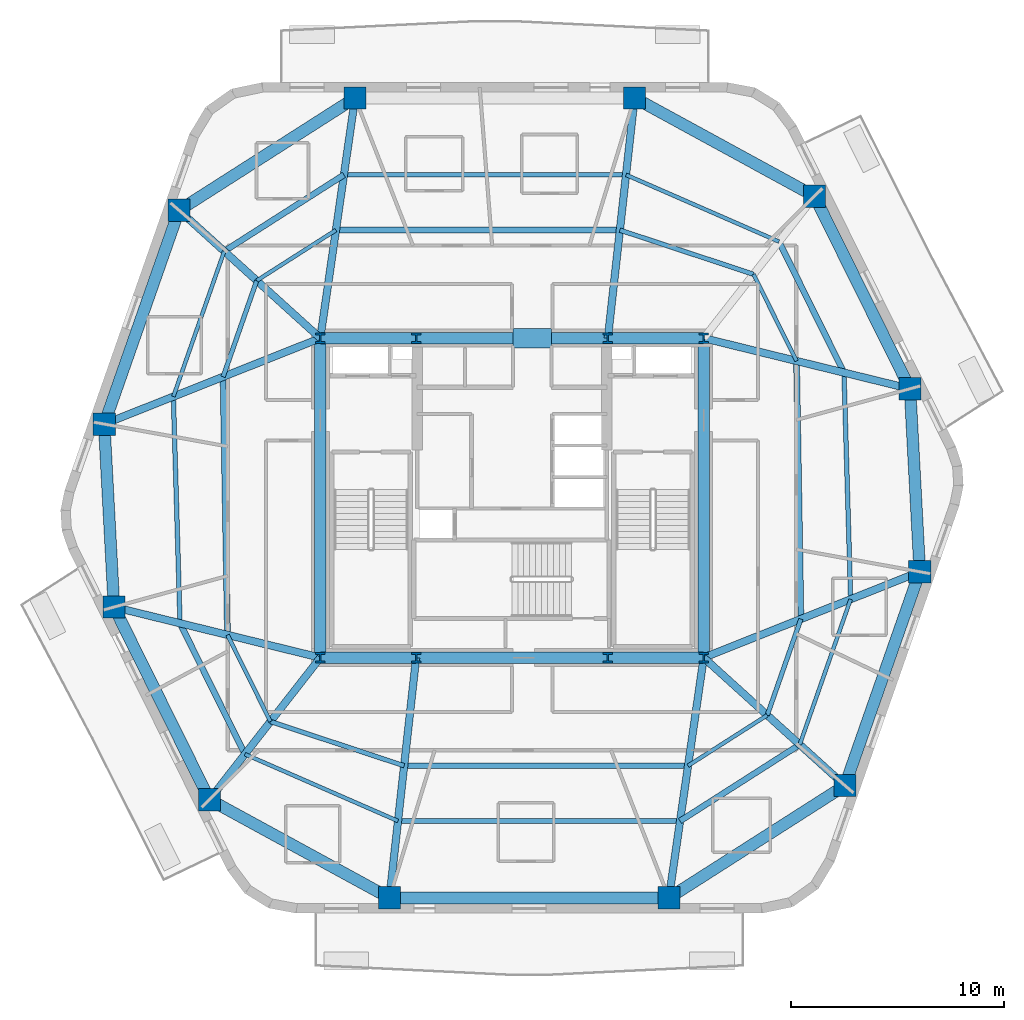
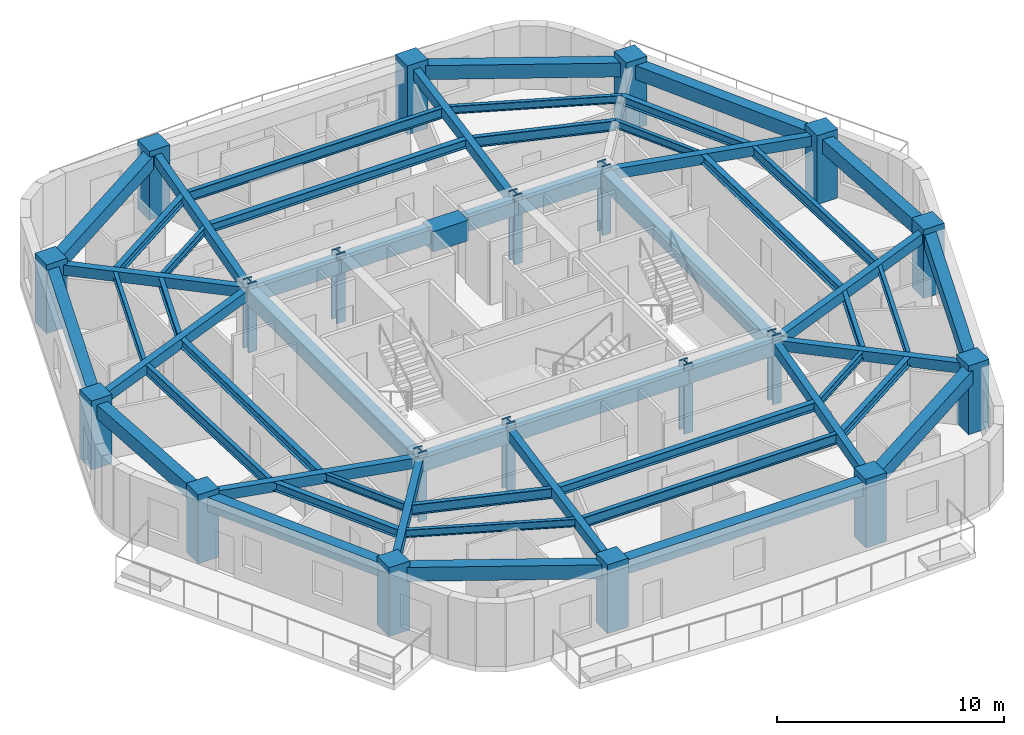
# One storey, part 1 of 10: 55 beams, 20 columns.
"""IFC4 building model written with IfcOpenShell, lengths in metres."""

from ifc_helpers import new_model, si_unit, direction, frame, origin, origin_2d, place, context, subcontext, project, spatial, rectangle, i_section, extrude, material, material_profile, profile_set, type_object, element, save


model = new_model("IFC4")

# Units and contexts
model_context = context("Model", 3, precision=1e-05, world=origin(), true_north=direction((0.0, 1.0)))
body_context = subcontext(model_context, "Body", "Model", "MODEL_VIEW")
ifc_project = project(units=[si_unit("LENGTHUNIT", "METRE"), si_unit("AREAUNIT", "SQUARE_METRE"), si_unit("VOLUMEUNIT", "CUBIC_METRE"), si_unit("PLANEANGLEUNIT", "RADIAN"), si_unit("MASSUNIT", "GRAM", prefix="KILO")], contexts=[model_context])

# Site, building, storey
site_placement = place(None, origin())
site = spatial("IfcSite", under=ifc_project, at=site_placement, CompositionType="ELEMENT")
building_placement = place(site_placement, origin())
building = spatial("IfcBuilding", under=site, at=building_placement, Name="Kilnhurst Terrace Hotel", CompositionType="ELEMENT")
storey_placement = place(building_placement, frame((0.0, 0.0, 155.39990234375)))
storey = spatial("IfcBuildingStorey", under=building, at=storey_placement, Name="L38", CompositionType="ELEMENT", Elevation=155.39990234375)

# Columns
ifc_material_1 = material(Name="Concrete C80/95", Category="concrete")
ifc_material_profile_1 = material_profile(ifc_material_1, rectangle(XDim=1.050048828125, YDim=1.050048828125, at=origin_2d()), Name="RC1050X1050")
ifc_profile_set_1 = profile_set([ifc_material_profile_1], Name="Concrete C80/95")
column_type_1 = type_object("IfcColumnType", Name="COL-RC-1050", PredefinedType="COLUMN", material=ifc_profile_set_1)
for number, where, z_axis, x_axis, name in (
    (1, (-5.7548828125, -18.780029296875, 0.0), (0.0, 0.0, 1.0), (1.0, 0.0, 0.0), "L38 Structural Column PC-F11"),
    (2, (7.368896484375, -18.780029296875, 0.0), (0.0, 0.0, 1.0), (1.0, 0.0, 0.0), "L38 Structural Column PC-F12"),
    (3, (15.633056640625, -13.5048828125, 0.0), (0.0, 0.0, 1.0), (1.0, 0.0, 0.0), "L38 Structural Column PC-F21"),
    (4, (19.14794921875, -3.467041015625, 0.0), (0.0, 0.0, 1.0), (1.0, 0.0, 0.0), "L38 Structural Column PC-F22"),
    (5, (18.68701171875, 5.1240234375, 0.0), (0.0, 0.0, 1.0), (1.0, 0.0, 0.0), "L38 Structural Column PC-F31"),
    (6, (14.2041015625, 14.166015625, 0.0), (0.0, 0.0, 1.0), (1.0, 0.0, 0.0), "L38 Structural Column PC-F32"),
    (7, (5.7548828125, 18.780029296875, 0.0), (0.0, 0.0, 1.0), (1.0, 0.0, 0.0), "L38 Structural Column PC-F41"),
    (8, (-7.368896484375, 18.780029296875, 0.0), (0.0, 0.0, 1.0), (1.0, 0.0, 0.0), "L38 Structural Column PC-F42"),
    (9, (-15.633056640625, 13.5048828125, 0.0), (0.0, 0.0, 1.0), (1.0, 0.0, 0.0), "L38 Structural Column PC-F51"),
    (10, (-19.14794921875, 3.467041015625, 0.0), (0.0, 0.0, 1.0), (1.0, 0.0, 0.0), "L38 Structural Column PC-F52"),
    (11, (-18.68701171875, -5.1240234375, 0.0), (0.0, 0.0, 1.0), (1.0, 0.0, 0.0), "L38 Structural Column PC-F61"),
    (12, (-14.2041015625, -14.166015625, 0.0), (0.0, 0.0, 1.0), (1.0, 0.0, 0.0), "L38 Structural Column PC-F62"),
):
    element("IfcColumn", number, at=place(storey_placement, frame(where, z_axis=z_axis, x_axis=x_axis)), inside=storey, type_object=column_type_1, Name=name, PredefinedType="COLUMN", context=body_context, shape_type="SweptSolid", body=[
        extrude(rectangle(XDim=1.050048828125, YDim=1.050048828125, at=origin_2d()), origin(), (0.0, 0.0, 1.0), 3.7001953125),
    ])
ifc_material_2 = material(Name="Steel ASTM A992 Grade 50", Category="steel")
ifc_material_profile_2 = material_profile(ifc_material_2, i_section(OverallWidth=0.43212890625, OverallDepth=0.497802734375, WebThickness=0.0556640625, FlangeThickness=0.0888671875, at=origin_2d()), Name="W14X500")
ifc_profile_set_2 = profile_set([ifc_material_profile_2], Name="Steel ASTM A992 Grade 50")
column_type_2 = type_object("IfcColumnType", Name="COL-STL-W14X500", PredefinedType="COLUMN", material=ifc_profile_set_2)
for number, where, z_axis, x_axis, name in (
    (13, (-9.0, -7.5, 0.0), (0.0, 0.0, 1.0), (1.0, 0.0, 0.0), "L38 Structural Column CC-SW"),
    (14, (-4.5, -7.5, 0.0), (0.0, 0.0, 1.0), (1.0, 0.0, 0.0), "L38 Structural Column CC-SC1"),
    (15, (4.5, -7.5, 0.0), (0.0, 0.0, 1.0), (1.0, 0.0, 0.0), "L38 Structural Column CC-SC2"),
    (16, (9.0, -7.5, 0.0), (0.0, 0.0, 1.0), (1.0, 0.0, 0.0), "L38 Structural Column CC-SE"),
    (17, (9.0, 7.5, 0.0), (0.0, 0.0, 1.0), (1.0, 0.0, 0.0), "L38 Structural Column CC-NE"),
    (18, (4.5, 7.5, 0.0), (0.0, 0.0, 1.0), (1.0, 0.0, 0.0), "L38 Structural Column CC-NC2"),
    (19, (-4.5, 7.5, 0.0), (0.0, 0.0, 1.0), (1.0, 0.0, 0.0), "L38 Structural Column CC-NC1"),
    (20, (-9.0, 7.5, 0.0), (0.0, 0.0, 1.0), (1.0, 0.0, 0.0), "L38 Structural Column CC-NW"),
):
    element("IfcColumn", number, at=place(storey_placement, frame(where, z_axis=z_axis, x_axis=x_axis)), inside=storey, type_object=column_type_2, Name=name, PredefinedType="COLUMN", context=body_context, shape_type="SweptSolid", body=[
        extrude(i_section(OverallWidth=0.43212890625, OverallDepth=0.497802734375, WebThickness=0.0556640625, FlangeThickness=0.0888671875, at=origin_2d()), origin(), (0.0, 0.0, 1.0), 3.7001953125),
    ])

# Beams
ifc_material_3 = material(Name="Concrete C50/60", Category="concrete")
ifc_material_profile_3 = material_profile(ifc_material_3, rectangle(XDim=0.35009765625, YDim=0.550048828125, at=origin_2d()), Name="RC350X550")
ifc_profile_set_3 = profile_set([ifc_material_profile_3], Name="Concrete C50/60")
beam_type_1 = type_object("IfcBeamType", Name="BM-RAD-350X550", PredefinedType="BEAM", material=ifc_profile_set_3)
beam_1_placement = place(storey_placement, frame((-4.5, -7.5, 3.125), z_axis=(-0.110566099441, -0.993868772854, 0.0), x_axis=(0.993868772854, -0.110566099441, 0.0)))
element("IfcBeam", 21, at=beam_1_placement, inside=storey, type_object=beam_type_1, Name="L38 Radial Floor Beam 1", PredefinedType="BEAM", context=body_context, shape_type="SweptSolid", body=[
    extrude(rectangle(XDim=0.35009765625, YDim=0.550048828125, at=origin_2d()), origin(), (0.0, 0.0, 1.0), 11.349609375),
])
beam_2_placement = place(storey_placement, frame((9.0, -7.5, 3.125), z_axis=(-0.143112538238, -0.989706421824, 0.0), x_axis=(0.989706421824, -0.143112538238, 0.0)))
element("IfcBeam", 22, at=beam_2_placement, inside=storey, type_object=beam_type_1, Name="L38 Radial Floor Beam 2", PredefinedType="BEAM", context=body_context, shape_type="SweptSolid", body=[
    extrude(rectangle(XDim=0.35009765625, YDim=0.550048828125, at=origin_2d()), origin(), (0.0, 0.0, 1.0), 11.3974609375),
])
beam_3_placement = place(storey_placement, frame((9.0, -7.5, 3.125), z_axis=(0.741338585645, -0.671131210296, 0.0), x_axis=(0.671131210296, 0.741338585645, 0.0)))
element("IfcBeam", 23, at=beam_3_placement, inside=storey, type_object=beam_type_1, Name="L38 Radial Floor Beam 3", PredefinedType="BEAM", context=body_context, shape_type="SweptSolid", body=[
    extrude(rectangle(XDim=0.35009765625, YDim=0.550048828125, at=origin_2d()), origin(), (0.0, 0.0, 1.0), 8.947509765625),
])
beam_4_placement = place(storey_placement, frame((9.0, -7.5, 3.125), z_axis=(0.929302373458, 0.369319778356, 0.0), x_axis=(-0.369319778356, 0.929302373458, 0.0)))
element("IfcBeam", 24, at=beam_4_placement, inside=storey, type_object=beam_type_1, Name="L38 Radial Floor Beam 4", PredefinedType="BEAM", context=body_context, shape_type="SweptSolid", body=[
    extrude(rectangle(XDim=0.35009765625, YDim=0.550048828125, at=origin_2d()), origin(), (0.0, 0.0, 1.0), 10.919921875),
])
beam_5_placement = place(storey_placement, frame((9.0, 7.5, 3.125), z_axis=(0.971212767405, -0.238213686486, 0.0), x_axis=(0.238213686486, 0.971212767405, 0.0)))
element("IfcBeam", 25, at=beam_5_placement, inside=storey, type_object=beam_type_1, Name="L38 Radial Floor Beam 5", PredefinedType="BEAM", context=body_context, shape_type="SweptSolid", body=[
    extrude(rectangle(XDim=0.35009765625, YDim=0.550048828125, at=origin_2d()), origin(), (0.0, 0.0, 1.0), 9.97412109375),
])
beam_6_placement = place(storey_placement, frame((4.5, 7.5, 3.125), z_axis=(0.110566099441, 0.993868772854, 0.0), x_axis=(-0.993868772854, 0.110566099441, 0.0)))
element("IfcBeam", 26, at=beam_6_placement, inside=storey, type_object=beam_type_1, Name="L38 Radial Floor Beam 7", PredefinedType="BEAM", context=body_context, shape_type="SweptSolid", body=[
    extrude(rectangle(XDim=0.35009765625, YDim=0.550048828125, at=origin_2d()), origin(), (0.0, 0.0, 1.0), 11.349609375),
])
beam_7_placement = place(storey_placement, frame((-9.0, 7.5, 3.125), z_axis=(0.143112538238, 0.989706421824, 0.0), x_axis=(-0.989706421824, 0.143112538238, 0.0)))
element("IfcBeam", 27, at=beam_7_placement, inside=storey, type_object=beam_type_1, Name="L38 Radial Floor Beam 8", PredefinedType="BEAM", context=body_context, shape_type="SweptSolid", body=[
    extrude(rectangle(XDim=0.35009765625, YDim=0.550048828125, at=origin_2d()), origin(), (0.0, 0.0, 1.0), 11.3974609375),
])
beam_8_placement = place(storey_placement, frame((-9.0, 7.5, 3.125), z_axis=(-0.741338585645, 0.671131210296, 0.0), x_axis=(-0.671131210296, -0.741338585645, 0.0)))
element("IfcBeam", 28, at=beam_8_placement, inside=storey, type_object=beam_type_1, Name="L38 Radial Floor Beam 9", PredefinedType="BEAM", context=body_context, shape_type="SweptSolid", body=[
    extrude(rectangle(XDim=0.35009765625, YDim=0.550048828125, at=origin_2d()), origin(), (0.0, 0.0, 1.0), 8.947509765625),
])
beam_9_placement = place(storey_placement, frame((-9.0, 7.5, 3.125), z_axis=(-0.929302373458, -0.369319778356, 0.0), x_axis=(0.369319778356, -0.929302373458, 0.0)))
element("IfcBeam", 29, at=beam_9_placement, inside=storey, type_object=beam_type_1, Name="L38 Radial Floor Beam 10", PredefinedType="BEAM", context=body_context, shape_type="SweptSolid", body=[
    extrude(rectangle(XDim=0.35009765625, YDim=0.550048828125, at=origin_2d()), origin(), (0.0, 0.0, 1.0), 10.919921875),
])
beam_10_placement = place(storey_placement, frame((-9.0, -7.5, 3.125), z_axis=(-0.971212767405, 0.238213686486, 0.0), x_axis=(-0.238213686486, -0.971212767405, 0.0)))
element("IfcBeam", 30, at=beam_10_placement, inside=storey, type_object=beam_type_1, Name="L38 Radial Floor Beam 11", PredefinedType="BEAM", context=body_context, shape_type="SweptSolid", body=[
    extrude(rectangle(XDim=0.35009765625, YDim=0.550048828125, at=origin_2d()), origin(), (0.0, 0.0, 1.0), 9.97412109375),
])
beam_11_placement = place(storey_placement, frame((-9.0, -7.5, 3.125), z_axis=(-0.615370616457, -0.78823791104, 0.0), x_axis=(0.78823791104, -0.615370616457, 0.0)))
element("IfcBeam", 31, at=beam_11_placement, inside=storey, type_object=beam_type_1, Name="L38 Radial Floor Beam 12", PredefinedType="BEAM", context=body_context, shape_type="SweptSolid", body=[
    extrude(rectangle(XDim=0.35009765625, YDim=0.550048828125, at=origin_2d()), origin(), (0.0, 0.0, 1.0), 8.456787109375),
])
ifc_material_profile_4 = material_profile(ifc_material_3, rectangle(XDim=0.550048828125, YDim=0.75, at=origin_2d()), Name="RC550X750")
ifc_profile_set_4 = profile_set([ifc_material_profile_4], Name="Concrete C50/60")
beam_type_2 = type_object("IfcBeamType", Name="BM-SPN-550X750", PredefinedType="SPANDREL", material=ifc_profile_set_4)
beam_12_placement = place(storey_placement, frame((-9.0, 7.5, 3.025146484375), z_axis=(1.0, 0.0, 0.0), x_axis=(0.0, 1.0, 0.0)))
element("IfcBeam", 32, at=beam_12_placement, inside=storey, type_object=beam_type_2, Name="L38 Core Tie Beam CC-NW to CC-NC1", PredefinedType="SPANDREL", context=body_context, shape_type="SweptSolid", body=[
    extrude(rectangle(XDim=0.550048828125, YDim=0.75, at=origin_2d()), origin(), (0.0, 0.0, 1.0), 4.5),
])
beam_13_placement = place(storey_placement, frame((-4.5, 7.5, 3.025146484375), z_axis=(1.0, 0.0, 0.0), x_axis=(0.0, 1.0, 0.0)))
element("IfcBeam", 33, at=beam_13_placement, inside=storey, type_object=beam_type_2, Name="L38 Core Tie Beam CC-NC1 to CC-NC2", PredefinedType="SPANDREL", context=body_context, shape_type="SweptSolid", body=[
    extrude(rectangle(XDim=0.550048828125, YDim=0.75, at=origin_2d()), origin(), (0.0, 0.0, 1.0), 9.0),
])
for number, where, z_axis, x_axis, name in (
    (34, (4.5, 7.5, 3.025146484375), (1.0, 0.0, 0.0), (0.0, 1.0, 0.0), "L38 Core Tie Beam CC-NC2 to CC-NE"),
    (35, (-9.0, -7.5, 3.025146484375), (1.0, 0.0, 0.0), (0.0, 1.0, 0.0), "L38 Core Tie Beam CC-SW to CC-SC1"),
):
    element("IfcBeam", number, at=place(storey_placement, frame(where, z_axis=z_axis, x_axis=x_axis)), inside=storey, type_object=beam_type_2, Name=name, PredefinedType="SPANDREL", context=body_context, shape_type="SweptSolid", body=[
        extrude(rectangle(XDim=0.550048828125, YDim=0.75, at=origin_2d()), origin(), (0.0, 0.0, 1.0), 4.5),
    ])
beam_14_placement = place(storey_placement, frame((-4.5, -7.5, 3.025146484375), z_axis=(1.0, 0.0, 0.0), x_axis=(0.0, 1.0, 0.0)))
element("IfcBeam", 36, at=beam_14_placement, inside=storey, type_object=beam_type_2, Name="L38 Core Tie Beam CC-SC1 to CC-SC2", PredefinedType="SPANDREL", context=body_context, shape_type="SweptSolid", body=[
    extrude(rectangle(XDim=0.550048828125, YDim=0.75, at=origin_2d()), origin(), (0.0, 0.0, 1.0), 9.0),
])
beam_15_placement = place(storey_placement, frame((4.5, -7.5, 3.025146484375), z_axis=(1.0, 0.0, 0.0), x_axis=(0.0, 1.0, 0.0)))
element("IfcBeam", 37, at=beam_15_placement, inside=storey, type_object=beam_type_2, Name="L38 Core Tie Beam CC-SC2 to CC-SE", PredefinedType="SPANDREL", context=body_context, shape_type="SweptSolid", body=[
    extrude(rectangle(XDim=0.550048828125, YDim=0.75, at=origin_2d()), origin(), (0.0, 0.0, 1.0), 4.5),
])
for number, where, z_axis, x_axis, name in (
    (38, (-9.0, -7.5, 3.025146484375), (0.0, 1.0, 0.0), (-1.0, 0.0, 0.0), "L38 Core Tie Beam CC-SW to CC-NW"),
    (39, (9.0, -7.5, 3.025146484375), (0.0, 1.0, 0.0), (-1.0, 0.0, 0.0), "L38 Core Tie Beam CC-SE to CC-NE"),
):
    element("IfcBeam", number, at=place(storey_placement, frame(where, z_axis=z_axis, x_axis=x_axis)), inside=storey, type_object=beam_type_2, Name=name, PredefinedType="SPANDREL", context=body_context, shape_type="SweptSolid", body=[
        extrude(rectangle(XDim=0.550048828125, YDim=0.75, at=origin_2d()), origin(), (0.0, 0.0, 1.0), 15.0),
    ])
beam_16_placement = place(storey_placement, frame((-5.7548828125, -18.780029296875, 3.025146484375), z_axis=(1.0, 0.0, 0.0), x_axis=(0.0, 1.0, 0.0)))
element("IfcBeam", 40, at=beam_16_placement, inside=storey, type_object=beam_type_2, Name="L38 Perimeter Spandrel Beam 1", PredefinedType="SPANDREL", context=body_context, shape_type="SweptSolid", body=[
    extrude(rectangle(XDim=0.550048828125, YDim=0.75, at=origin_2d()), origin(), (0.0, 0.0, 1.0), 13.123779296875),
])
beam_17_placement = place(storey_placement, frame((7.368896484375, -18.780029296875, 3.025146484375), z_axis=(0.842915241256, 0.538046369803, 0.0), x_axis=(-0.538046369803, 0.842915241256, 0.0)))
element("IfcBeam", 41, at=beam_17_placement, inside=storey, type_object=beam_type_2, Name="L38 Perimeter Spandrel Beam 2", PredefinedType="SPANDREL", context=body_context, shape_type="SweptSolid", body=[
    extrude(rectangle(XDim=0.550048828125, YDim=0.75, at=origin_2d()), origin(), (0.0, 0.0, 1.0), 9.80419921875),
])
beam_18_placement = place(storey_placement, frame((15.633056640625, -13.5048828125, 3.025146484375), z_axis=(0.330488460168, 0.943810032632, 0.0), x_axis=(-0.943810032632, 0.330488460168, 0.0)))
element("IfcBeam", 42, at=beam_18_placement, inside=storey, type_object=beam_type_2, Name="L38 Perimeter Spandrel Beam 3", PredefinedType="SPANDREL", context=body_context, shape_type="SweptSolid", body=[
    extrude(rectangle(XDim=0.550048828125, YDim=0.75, at=origin_2d()), origin(), (0.0, 0.0, 1.0), 10.635498046875),
])
beam_19_placement = place(storey_placement, frame((19.14794921875, -3.467041015625, 3.025146484375), z_axis=(-0.053576072051, 0.998563770875, 0.0), x_axis=(-0.998563770875, -0.053576072051, 0.0)))
element("IfcBeam", 43, at=beam_19_placement, inside=storey, type_object=beam_type_2, Name="L38 Perimeter Spandrel Beam 4", PredefinedType="SPANDREL", context=body_context, shape_type="SweptSolid", body=[
    extrude(rectangle(XDim=0.550048828125, YDim=0.75, at=origin_2d()), origin(), (0.0, 0.0, 1.0), 8.603515625),
])
beam_20_placement = place(storey_placement, frame((18.68701171875, 5.1240234375, 3.025146484375), z_axis=(-0.444192032261, 0.895931603682, 0.0), x_axis=(-0.895931603682, -0.444192032261, 0.0)))
element("IfcBeam", 44, at=beam_20_placement, inside=storey, type_object=beam_type_2, Name="L38 Perimeter Spandrel Beam 5", PredefinedType="SPANDREL", context=body_context, shape_type="SweptSolid", body=[
    extrude(rectangle(XDim=0.550048828125, YDim=0.75, at=origin_2d()), origin(), (0.0, 0.0, 1.0), 10.09228515625),
])
beam_21_placement = place(storey_placement, frame((14.2041015625, 14.166015625, 3.025146484375), z_axis=(-0.87766189723, 0.479280287672, 0.0), x_axis=(-0.479280287672, -0.87766189723, 0.0)))
element("IfcBeam", 45, at=beam_21_placement, inside=storey, type_object=beam_type_2, Name="L38 Perimeter Spandrel Beam 6", PredefinedType="SPANDREL", context=body_context, shape_type="SweptSolid", body=[
    extrude(rectangle(XDim=0.550048828125, YDim=0.75, at=origin_2d()), origin(), (0.0, 0.0, 1.0), 9.626953125),
])
beam_22_placement = place(storey_placement, frame((-7.368896484375, 18.780029296875, 3.025146484375), z_axis=(-0.842915241256, -0.538046369803, 0.0), x_axis=(0.538046369803, -0.842915241256, 0.0)))
element("IfcBeam", 46, at=beam_22_placement, inside=storey, type_object=beam_type_2, Name="L38 Perimeter Spandrel Beam 8", PredefinedType="SPANDREL", context=body_context, shape_type="SweptSolid", body=[
    extrude(rectangle(XDim=0.550048828125, YDim=0.75, at=origin_2d()), origin(), (0.0, 0.0, 1.0), 9.80419921875),
])
beam_23_placement = place(storey_placement, frame((-15.633056640625, 13.5048828125, 3.025146484375), z_axis=(-0.330488460168, -0.943810032632, 0.0), x_axis=(0.943810032632, -0.330488460168, 0.0)))
element("IfcBeam", 47, at=beam_23_placement, inside=storey, type_object=beam_type_2, Name="L38 Perimeter Spandrel Beam 9", PredefinedType="SPANDREL", context=body_context, shape_type="SweptSolid", body=[
    extrude(rectangle(XDim=0.550048828125, YDim=0.75, at=origin_2d()), origin(), (0.0, 0.0, 1.0), 10.635498046875),
])
beam_24_placement = place(storey_placement, frame((-19.14794921875, 3.467041015625, 3.025146484375), z_axis=(0.053576072051, -0.998563770875, 0.0), x_axis=(0.998563770875, 0.053576072051, 0.0)))
element("IfcBeam", 48, at=beam_24_placement, inside=storey, type_object=beam_type_2, Name="L38 Perimeter Spandrel Beam 10", PredefinedType="SPANDREL", context=body_context, shape_type="SweptSolid", body=[
    extrude(rectangle(XDim=0.550048828125, YDim=0.75, at=origin_2d()), origin(), (0.0, 0.0, 1.0), 8.603515625),
])
beam_25_placement = place(storey_placement, frame((-18.68701171875, -5.1240234375, 3.025146484375), z_axis=(0.444192032261, -0.895931603682, 0.0), x_axis=(0.895931603682, 0.444192032261, 0.0)))
element("IfcBeam", 49, at=beam_25_placement, inside=storey, type_object=beam_type_2, Name="L38 Perimeter Spandrel Beam 11", PredefinedType="SPANDREL", context=body_context, shape_type="SweptSolid", body=[
    extrude(rectangle(XDim=0.550048828125, YDim=0.75, at=origin_2d()), origin(), (0.0, 0.0, 1.0), 10.09228515625),
])
beam_26_placement = place(storey_placement, frame((-14.2041015625, -14.166015625, 3.025146484375), z_axis=(0.87766189723, -0.479280287672, 0.0), x_axis=(0.479280287672, 0.87766189723, 0.0)))
element("IfcBeam", 50, at=beam_26_placement, inside=storey, type_object=beam_type_2, Name="L38 Perimeter Spandrel Beam 12", PredefinedType="SPANDREL", context=body_context, shape_type="SweptSolid", body=[
    extrude(rectangle(XDim=0.550048828125, YDim=0.75, at=origin_2d()), origin(), (0.0, 0.0, 1.0), 9.626953125),
])
ifc_material_profile_5 = material_profile(ifc_material_2, i_section(OverallWidth=0.180908203125, OverallDepth=0.417236328125, WebThickness=0.010986328125, FlangeThickness=0.018310546875, at=origin_2d()), Name="W16X57")
ifc_profile_set_5 = profile_set([ifc_material_profile_5], Name="Steel ASTM A992 Grade 50")
beam_type_3 = type_object("IfcBeamType", Name="JST-STL-W16X57", PredefinedType="JOIST", material=ifc_profile_set_5)
beam_27_placement = place(storey_placement, frame((13.510498046875, -11.58349609375, 3.191162109375), z_axis=(0.330481239411, 0.943812561051, 0.0), x_axis=(-0.943812561051, 0.330481239411, 0.0)))
element("IfcBeam", 51, at=beam_27_placement, inside=storey, type_object=beam_type_3, Name="L38 Secondary Floor Steel Joist OUT.3", PredefinedType="JOIST", context=body_context, shape_type="SweptSolid", body=[
    extrude(i_section(OverallWidth=0.180908203125, OverallDepth=0.417236328125, WebThickness=0.010986328125, FlangeThickness=0.018310546875, at=origin_2d()), origin(), (0.0, 0.0, 1.0), 7.232177734375),
])
beam_28_placement = place(storey_placement, frame((12.538818359375, 12.032958984375, 3.191162109375), z_axis=(-0.916443679054, 0.400163695407, 0.0), x_axis=(-0.400163695407, -0.916443679054, 0.0)))
element("IfcBeam", 52, at=beam_28_placement, inside=storey, type_object=beam_type_3, Name="L38 Secondary Floor Steel Joist OUT.6", PredefinedType="JOIST", context=body_context, shape_type="SweptSolid", body=[
    extrude(i_section(OverallWidth=0.180908203125, OverallDepth=0.417236328125, WebThickness=0.010986328125, FlangeThickness=0.018310546875, at=origin_2d()), origin(), (0.0, 0.0, 1.0), 7.84033203125),
])
beam_29_placement = place(storey_placement, frame((-13.510498046875, 11.58349609375, 3.191162109375), z_axis=(-0.330481239411, -0.943812561051, 0.0), x_axis=(0.943812561051, -0.330481239411, 0.0)))
element("IfcBeam", 53, at=beam_29_placement, inside=storey, type_object=beam_type_3, Name="L38 Secondary Floor Steel Joist OUT.9", PredefinedType="JOIST", context=body_context, shape_type="SweptSolid", body=[
    extrude(i_section(OverallWidth=0.180908203125, OverallDepth=0.417236328125, WebThickness=0.010986328125, FlangeThickness=0.018310546875, at=origin_2d()), origin(), (0.0, 0.0, 1.0), 7.232177734375),
])
beam_30_placement = place(storey_placement, frame((-12.538818359375, -12.032958984375, 3.191162109375), z_axis=(0.916443679054, -0.400163695407, 0.0), x_axis=(0.400163695407, 0.916443679054, 0.0)))
element("IfcBeam", 54, at=beam_30_placement, inside=storey, type_object=beam_type_3, Name="L38 Secondary Floor Steel Joist OUT.12", PredefinedType="JOIST", context=body_context, shape_type="SweptSolid", body=[
    extrude(i_section(OverallWidth=0.180908203125, OverallDepth=0.417236328125, WebThickness=0.010986328125, FlangeThickness=0.018310546875, at=origin_2d()), origin(), (0.0, 0.0, 1.0), 7.84033203125),
])
beam_31_placement = place(storey_placement, frame((8.26611328125, -12.575927734375, 3.191162109375), z_axis=(0.842910995806, 0.53805302076, 0.0), x_axis=(-0.53805302076, 0.842910995806, 0.0)))
element("IfcBeam", 55, at=beam_31_placement, inside=storey, type_object=beam_type_3, Name="L38 Secondary Floor Steel Joist IN.2", PredefinedType="JOIST", context=body_context, shape_type="SweptSolid", body=[
    extrude(i_section(OverallWidth=0.180908203125, OverallDepth=0.417236328125, WebThickness=0.010986328125, FlangeThickness=0.018310546875, at=origin_2d()), origin(), (0.0, 0.0, 1.0), 4.411865234375),
])
beam_32_placement = place(storey_placement, frame((13.359130859375, 6.430908203125, 3.191162109375), z_axis=(-0.444200626094, 0.895927342912, 0.0), x_axis=(-0.895927342912, -0.444200626094, 0.0)))
element("IfcBeam", 56, at=beam_32_placement, inside=storey, type_object=beam_type_3, Name="L38 Secondary Floor Steel Joist IN.5", PredefinedType="JOIST", context=body_context, shape_type="SweptSolid", body=[
    extrude(i_section(OverallWidth=0.180908203125, OverallDepth=0.417236328125, WebThickness=0.010986328125, FlangeThickness=0.018310546875, at=origin_2d()), origin(), (0.0, 0.0, 1.0), 4.54150390625),
])
beam_33_placement = place(storey_placement, frame((-8.26611328125, 12.575927734375, 3.191162109375), z_axis=(-0.842910995806, -0.53805302076, 0.0), x_axis=(0.53805302076, -0.842910995806, 0.0)))
element("IfcBeam", 57, at=beam_33_placement, inside=storey, type_object=beam_type_3, Name="L38 Secondary Floor Steel Joist IN.8", PredefinedType="JOIST", context=body_context, shape_type="SweptSolid", body=[
    extrude(i_section(OverallWidth=0.180908203125, OverallDepth=0.417236328125, WebThickness=0.010986328125, FlangeThickness=0.018310546875, at=origin_2d()), origin(), (0.0, 0.0, 1.0), 4.411865234375),
])
beam_34_placement = place(storey_placement, frame((-13.359130859375, -6.430908203125, 3.191162109375), z_axis=(0.444200626094, -0.895927342912, 0.0), x_axis=(0.895927342912, 0.444200626094, 0.0)))
element("IfcBeam", 58, at=beam_34_placement, inside=storey, type_object=beam_type_3, Name="L38 Secondary Floor Steel Joist IN.11", PredefinedType="JOIST", context=body_context, shape_type="SweptSolid", body=[
    extrude(i_section(OverallWidth=0.180908203125, OverallDepth=0.417236328125, WebThickness=0.010986328125, FlangeThickness=0.018310546875, at=origin_2d()), origin(), (0.0, 0.0, 1.0), 4.54150390625),
])
ifc_material_profile_6 = material_profile(ifc_material_2, i_section(OverallWidth=0.279296875, OverallDepth=0.462890625, WebThickness=0.0107421875, FlangeThickness=0.017333984375, at=origin_2d()), Name="W18X76")
ifc_profile_set_6 = profile_set([ifc_material_profile_6], Name="Steel ASTM A992 Grade 50")
beam_type_4 = type_object("IfcBeamType", Name="JST-STL-W18X76", PredefinedType="JOIST", material=ifc_profile_set_6)
beam_35_placement = place(storey_placement, frame((7.890869140625, -15.17041015625, 3.168212890625), z_axis=(0.842927863369, 0.538026595213, 0.0), x_axis=(-0.538026595213, 0.842927863369, 0.0)))
element("IfcBeam", 59, at=beam_35_placement, inside=storey, type_object=beam_type_4, Name="L38 Secondary Floor Steel Joist OUT.2", PredefinedType="JOIST", context=body_context, shape_type="SweptSolid", body=[
    extrude(i_section(OverallWidth=0.279296875, OverallDepth=0.462890625, WebThickness=0.0107421875, FlangeThickness=0.017333984375, at=origin_2d()), origin(), (0.0, 0.0, 1.0), 6.666748046875),
])
beam_36_placement = place(storey_placement, frame((15.587158203125, 5.88427734375, 3.168212890625), z_axis=(-0.444180101574, 0.895937518673, 0.0), x_axis=(-0.895937518673, -0.444180101574, 0.0)))
element("IfcBeam", 60, at=beam_36_placement, inside=storey, type_object=beam_type_4, Name="L38 Secondary Floor Steel Joist OUT.5", PredefinedType="JOIST", context=body_context, shape_type="SweptSolid", body=[
    extrude(i_section(OverallWidth=0.279296875, OverallDepth=0.462890625, WebThickness=0.0107421875, FlangeThickness=0.017333984375, at=origin_2d()), origin(), (0.0, 0.0, 1.0), 6.86279296875),
])
beam_37_placement = place(storey_placement, frame((-7.890869140625, 15.17041015625, 3.168212890625), z_axis=(-0.842927863369, -0.538026595213, 0.0), x_axis=(0.538026595213, -0.842927863369, 0.0)))
element("IfcBeam", 61, at=beam_37_placement, inside=storey, type_object=beam_type_4, Name="L38 Secondary Floor Steel Joist OUT.8", PredefinedType="JOIST", context=body_context, shape_type="SweptSolid", body=[
    extrude(i_section(OverallWidth=0.279296875, OverallDepth=0.462890625, WebThickness=0.0107421875, FlangeThickness=0.017333984375, at=origin_2d()), origin(), (0.0, 0.0, 1.0), 6.666748046875),
])
beam_38_placement = place(storey_placement, frame((-15.587158203125, -5.88427734375, 3.168212890625), z_axis=(0.444180101574, -0.895937518673, 0.0), x_axis=(0.895937518673, 0.444180101574, 0.0)))
element("IfcBeam", 62, at=beam_38_placement, inside=storey, type_object=beam_type_4, Name="L38 Secondary Floor Steel Joist OUT.11", PredefinedType="JOIST", context=body_context, shape_type="SweptSolid", body=[
    extrude(i_section(OverallWidth=0.279296875, OverallDepth=0.462890625, WebThickness=0.0107421875, FlangeThickness=0.017333984375, at=origin_2d()), origin(), (0.0, 0.0, 1.0), 6.86279296875),
])
beam_39_placement = place(storey_placement, frame((-5.064697265625, -12.575927734375, 3.168212890625), z_axis=(1.0, 0.0, 0.0), x_axis=(0.0, 1.0, 0.0)))
element("IfcBeam", 63, at=beam_39_placement, inside=storey, type_object=beam_type_4, Name="L38 Secondary Floor Steel Joist IN.1", PredefinedType="JOIST", context=body_context, shape_type="SweptSolid", body=[
    extrude(i_section(OverallWidth=0.279296875, OverallDepth=0.462890625, WebThickness=0.0107421875, FlangeThickness=0.017333984375, at=origin_2d()), origin(), (0.0, 0.0, 1.0), 13.330810546875),
])
beam_40_placement = place(storey_placement, frame((13.566650390625, -5.685302734375, 3.168212890625), z_axis=(-0.017124916462, 0.999853357866, 0.0), x_axis=(-0.999853357866, -0.017124916462, 0.0)))
element("IfcBeam", 64, at=beam_40_placement, inside=storey, type_object=beam_type_4, Name="L38 Secondary Floor Steel Joist IN.4", PredefinedType="JOIST", context=body_context, shape_type="SweptSolid", body=[
    extrude(i_section(OverallWidth=0.279296875, OverallDepth=0.462890625, WebThickness=0.0107421875, FlangeThickness=0.017333984375, at=origin_2d()), origin(), (0.0, 0.0, 1.0), 12.117919921875),
])
beam_41_placement = place(storey_placement, frame((5.064697265625, 12.575927734375, 3.168212890625), z_axis=(-1.0, 0.0, 0.0), x_axis=(0.0, -1.0, 0.0)))
element("IfcBeam", 65, at=beam_41_placement, inside=storey, type_object=beam_type_4, Name="L38 Secondary Floor Steel Joist IN.7", PredefinedType="JOIST", context=body_context, shape_type="SweptSolid", body=[
    extrude(i_section(OverallWidth=0.279296875, OverallDepth=0.462890625, WebThickness=0.0107421875, FlangeThickness=0.017333984375, at=origin_2d()), origin(), (0.0, 0.0, 1.0), 13.330810546875),
])
beam_42_placement = place(storey_placement, frame((-13.566650390625, 5.685302734375, 3.168212890625), z_axis=(0.017124916462, -0.999853357866, 0.0), x_axis=(0.999853357866, 0.017124916462, 0.0)))
element("IfcBeam", 66, at=beam_42_placement, inside=storey, type_object=beam_type_4, Name="L38 Secondary Floor Steel Joist IN.10", PredefinedType="JOIST", context=body_context, shape_type="SweptSolid", body=[
    extrude(i_section(OverallWidth=0.279296875, OverallDepth=0.462890625, WebThickness=0.0107421875, FlangeThickness=0.017333984375, at=origin_2d()), origin(), (0.0, 0.0, 1.0), 12.117919921875),
])
ifc_material_profile_7 = material_profile(ifc_material_2, i_section(OverallWidth=0.2138671875, OverallDepth=0.549072265625, WebThickness=0.0146484375, FlangeThickness=0.023681640625, at=origin_2d()), Name="W21X93")
ifc_profile_set_7 = profile_set([ifc_material_profile_7], Name="Steel ASTM A992 Grade 50")
beam_type_5 = type_object("IfcBeamType", Name="JST-STL-W21X93", PredefinedType="JOIST", material=ifc_profile_set_7)
beam_43_placement = place(storey_placement, frame((-5.353515625, -15.17041015625, 3.125), z_axis=(1.0, 0.0, 0.0), x_axis=(0.0, 1.0, 0.0)))
element("IfcBeam", 67, at=beam_43_placement, inside=storey, type_object=beam_type_5, Name="L38 Secondary Floor Steel Joist OUT.1", PredefinedType="JOIST", context=body_context, shape_type="SweptSolid", body=[
    extrude(i_section(OverallWidth=0.2138671875, OverallDepth=0.549072265625, WebThickness=0.0146484375, FlangeThickness=0.023681640625, at=origin_2d()), origin(), (0.0, 0.0, 1.0), 13.244384765625),
])
beam_44_placement = place(storey_placement, frame((15.900634765625, -4.757568359375, 3.125), z_axis=(-0.029444201298, 0.999566425512, 0.0), x_axis=(-0.999566425512, -0.029444201298, 0.0)))
element("IfcBeam", 68, at=beam_44_placement, inside=storey, type_object=beam_type_5, Name="L38 Secondary Floor Steel Joist OUT.4", PredefinedType="JOIST", context=body_context, shape_type="SweptSolid", body=[
    extrude(i_section(OverallWidth=0.2138671875, OverallDepth=0.549072265625, WebThickness=0.0146484375, FlangeThickness=0.023681640625, at=origin_2d()), origin(), (0.0, 0.0, 1.0), 10.646484375),
])
beam_45_placement = place(storey_placement, frame((5.353515625, 15.17041015625, 3.125), z_axis=(-1.0, 0.0, 0.0), x_axis=(0.0, -1.0, 0.0)))
element("IfcBeam", 69, at=beam_45_placement, inside=storey, type_object=beam_type_5, Name="L38 Secondary Floor Steel Joist OUT.7", PredefinedType="JOIST", context=body_context, shape_type="SweptSolid", body=[
    extrude(i_section(OverallWidth=0.2138671875, OverallDepth=0.549072265625, WebThickness=0.0146484375, FlangeThickness=0.023681640625, at=origin_2d()), origin(), (0.0, 0.0, 1.0), 13.244384765625),
])
beam_46_placement = place(storey_placement, frame((-15.900634765625, 4.757568359375, 3.125), z_axis=(0.029444201298, -0.999566425512, 0.0), x_axis=(0.999566425512, 0.029444201298, 0.0)))
element("IfcBeam", 70, at=beam_46_placement, inside=storey, type_object=beam_type_5, Name="L38 Secondary Floor Steel Joist OUT.10", PredefinedType="JOIST", context=body_context, shape_type="SweptSolid", body=[
    extrude(i_section(OverallWidth=0.2138671875, OverallDepth=0.549072265625, WebThickness=0.0146484375, FlangeThickness=0.023681640625, at=origin_2d()), origin(), (0.0, 0.0, 1.0), 10.646484375),
])
beam_47_placement = place(storey_placement, frame((11.98486328125, -10.2021484375, 3.125), z_axis=(0.330516298629, 0.943800284139, 0.0), x_axis=(-0.943800284139, 0.330516298629, 0.0)))
element("IfcBeam", 71, at=beam_47_placement, inside=storey, type_object=beam_type_5, Name="L38 Secondary Floor Steel Joist IN.3", PredefinedType="JOIST", context=body_context, shape_type="SweptSolid", body=[
    extrude(i_section(OverallWidth=0.2138671875, OverallDepth=0.549072265625, WebThickness=0.0146484375, FlangeThickness=0.023681640625, at=origin_2d()), origin(), (0.0, 0.0, 1.0), 4.785888671875),
])
beam_48_placement = place(storey_placement, frame((11.341796875, 10.499755859375, 3.125), z_axis=(-0.949415572736, 0.314022404051, 0.0), x_axis=(-0.314022404051, -0.949415572736, 0.0)))
element("IfcBeam", 72, at=beam_48_placement, inside=storey, type_object=beam_type_5, Name="L38 Secondary Floor Steel Joist IN.6", PredefinedType="JOIST", context=body_context, shape_type="SweptSolid", body=[
    extrude(i_section(OverallWidth=0.2138671875, OverallDepth=0.549072265625, WebThickness=0.0146484375, FlangeThickness=0.023681640625, at=origin_2d()), origin(), (0.0, 0.0, 1.0), 6.611572265625),
])
beam_49_placement = place(storey_placement, frame((-11.98486328125, 10.2021484375, 3.125), z_axis=(-0.330516298629, -0.943800284139, 0.0), x_axis=(0.943800284139, -0.330516298629, 0.0)))
element("IfcBeam", 73, at=beam_49_placement, inside=storey, type_object=beam_type_5, Name="L38 Secondary Floor Steel Joist IN.9", PredefinedType="JOIST", context=body_context, shape_type="SweptSolid", body=[
    extrude(i_section(OverallWidth=0.2138671875, OverallDepth=0.549072265625, WebThickness=0.0146484375, FlangeThickness=0.023681640625, at=origin_2d()), origin(), (0.0, 0.0, 1.0), 4.785888671875),
])
beam_50_placement = place(storey_placement, frame((-11.341796875, -10.499755859375, 3.125), z_axis=(0.949415572736, -0.314022404051, 0.0), x_axis=(0.314022404051, 0.949415572736, 0.0)))
element("IfcBeam", 74, at=beam_50_placement, inside=storey, type_object=beam_type_5, Name="L38 Secondary Floor Steel Joist IN.12", PredefinedType="JOIST", context=body_context, shape_type="SweptSolid", body=[
    extrude(i_section(OverallWidth=0.2138671875, OverallDepth=0.549072265625, WebThickness=0.0146484375, FlangeThickness=0.023681640625, at=origin_2d()), origin(), (0.0, 0.0, 1.0), 6.611572265625),
])
ifc_material_profile_8 = material_profile(ifc_material_1, rectangle(XDim=0.89990234375, YDim=1.10009765625, at=origin_2d()), Name="RC900X1100")
ifc_profile_set_8 = profile_set([ifc_material_profile_8], Name="Concrete C80/95")
beam_type_6 = type_object("IfcBeamType", Name="LNT-CB-900X1100", PredefinedType="LINTEL", material=ifc_profile_set_8)
beam_51_placement = place(storey_placement, frame((0.050048828125, 7.5, 2.85009765625), z_axis=(1.0, 0.0, 0.0), x_axis=(0.0, 1.0, 0.0)))
element("IfcBeam", 75, at=beam_51_placement, inside=storey, type_object=beam_type_6, Name="L38 North Core Coupling Link Beam", PredefinedType="LINTEL", context=body_context, shape_type="SweptSolid", body=[
    extrude(rectangle(XDim=0.89990234375, YDim=1.10009765625, at=origin_2d()), origin(), (0.0, 0.0, 1.0), 1.800048828125),
])

save(model, "model.ifc")
